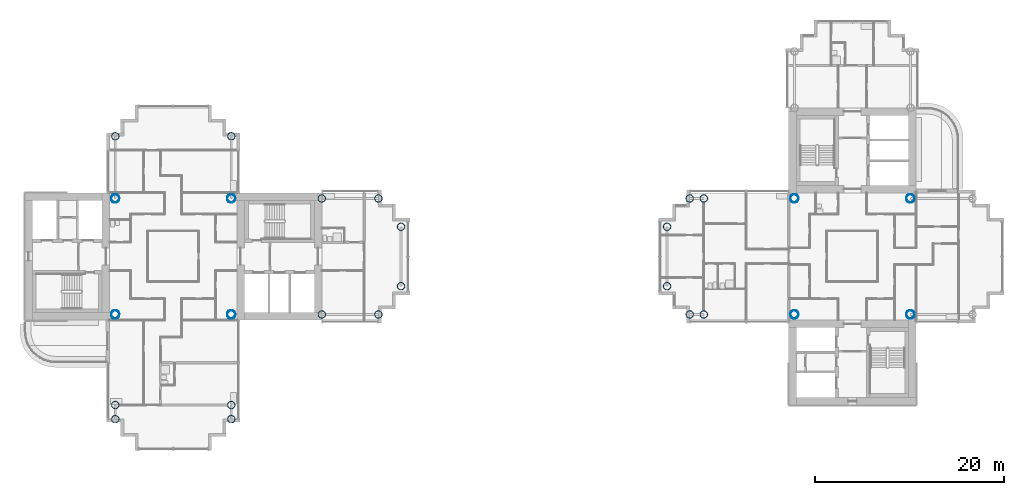
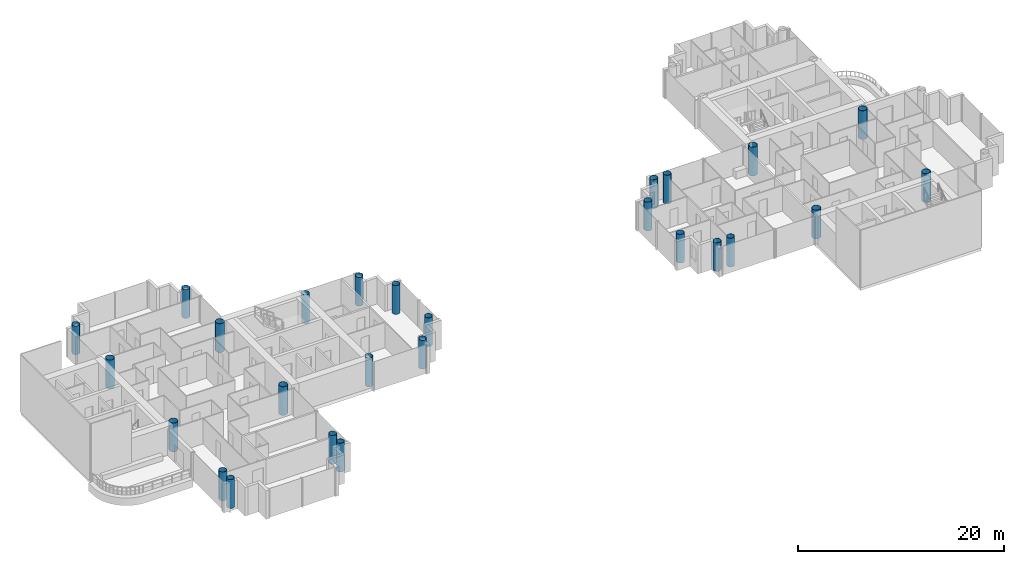
# One storey, part 1 of 20: 26 columns.
"""IFC4 building model written with IfcOpenShell, lengths in metres."""

import ifcopenshell
import ifcopenshell.guid

model = None  # the IFC model being written
_history = None  # IfcOwnerHistory: only IFC2X3 demands one
_inside = {}  # id of a spatial element -> (the spatial element, [elements in it])
_under = {}  # id of a project, library or spatial element -> (it, [spatial elements below it])
_declared = {}  # id of a project -> (the project, [libraries it declares])
_typed = {}  # id of a type object -> (the type object, [elements of that type])
_made_of = {}  # id of a material, layer set ... -> (it, [elements and type objects made of it])


def new_model(schema):
    """Start an empty IFC model of exactly this schema.

    Asked for "IFC4X3", IfcOpenShell would pick the latest addendum, in which some entities
    have other attributes; the version numbers below select the first issue.
    IFC2X3 requires an IfcOwnerHistory on every rooted entity: one is made here for all.
    """
    global model, _history
    if schema == "IFC4X3":
        model = ifcopenshell.file(schema_version=(4, 3, 0, 0))
    else:
        model = ifcopenshell.file(schema=schema)
    _inside.clear()
    _under.clear()
    _declared.clear()
    _typed.clear()
    _made_of.clear()
    _history = None
    if model.schema == "IFC2X3":
        org = make("IfcOrganization", Name="unknown")
        user = make(
            "IfcPersonAndOrganization",
            ThePerson=make("IfcPerson", FamilyName="unknown"),
            TheOrganization=org,
        )
        app = make(
            "IfcApplication",
            ApplicationDeveloper=org,
            Version="unknown",
            ApplicationFullName="unknown",
            ApplicationIdentifier="unknown",
        )
        _history = make(
            "IfcOwnerHistory",
            OwningUser=user,
            OwningApplication=app,
            ChangeAction="ADDED",
            CreationDate=0,
        )
    return model


def make(cls, **values):
    """One entity of the class cls with the attributes given. An attribute that is None is left unset."""
    return model.create_entity(
        cls, **{name: value for name, value in values.items() if value is not None}
    )


def rooted(cls, **values):
    """An entity with a GlobalId (a new one), such as an element, a storey or a relation."""
    return make(cls, GlobalId=ifcopenshell.guid.new(), OwnerHistory=_history, **values)


def si_unit(unit_type, name, prefix=None):
    """IfcSIUnit, for example si_unit("LENGTHUNIT", "METRE", prefix="MILLI")."""
    return make("IfcSIUnit", UnitType=unit_type, Prefix=prefix, Name=name)


def assignment(units):
    """IfcUnitAssignment: the units of a project."""
    return None if units is None else make("IfcUnitAssignment", Units=units)


def point(xyz):
    """IfcCartesianPoint."""
    return None if xyz is None else make("IfcCartesianPoint", Coordinates=xyz)


def direction(xyz):
    """IfcDirection."""
    return None if xyz is None else make("IfcDirection", DirectionRatios=xyz)


def frame(location, z_axis=None, x_axis=None):
    """IfcAxis2Placement3D, a coordinate frame: its origin and axes. An axis left out is left unset."""
    return make(
        "IfcAxis2Placement3D",
        Location=point(location),
        Axis=direction(z_axis),
        RefDirection=direction(x_axis),
    )


def frame_2d(location, x_axis=None):
    """IfcAxis2Placement2D, a coordinate frame in the plane: its origin and x axis."""
    return make(
        "IfcAxis2Placement2D", Location=point(location), RefDirection=direction(x_axis)
    )


def origin():
    """The frame at (0, 0, 0) with its axes left unset."""
    return frame((0.0, 0.0, 0.0))


def origin_2d():
    """The frame at (0, 0) in the plane with its x axis left unset."""
    return frame_2d((0.0, 0.0))


def place(relative_to, where):
    """IfcLocalPlacement: puts the frame where relative to a parent placement (None: the world)."""
    return make(
        "IfcLocalPlacement", PlacementRelTo=relative_to, RelativePlacement=where
    )


def context(
    kind, dimensions, precision=None, world=None, true_north=None, identifier=None
):
    """IfcGeometricRepresentationContext, for example the 3D "Model" context."""
    return make(
        "IfcGeometricRepresentationContext",
        ContextIdentifier=identifier,
        ContextType=kind,
        CoordinateSpaceDimension=dimensions,
        Precision=precision,
        WorldCoordinateSystem=world,
        TrueNorth=true_north,
    )


def subcontext(parent, identifier, kind, view, scale=None):
    """IfcGeometricRepresentationSubContext, for example "Body" below "Model"."""
    return make(
        "IfcGeometricRepresentationSubContext",
        ContextIdentifier=identifier,
        ContextType=kind,
        ParentContext=parent,
        TargetScale=scale,
        TargetView=view,
    )


def project(units=None, contexts=None):
    """IfcProject with its units and contexts."""
    return rooted(
        "IfcProject",
        Name="project",
        RepresentationContexts=contexts,
        UnitsInContext=assignment(units),
    )


def spatial(cls, under=None, at=None, **own):
    """A site, building, storey or space (cls), placed at a placement, below another one or the project."""
    s = rooted(cls, ObjectPlacement=at, **own)
    if under is not None:
        _under.setdefault(under.id(), (under, []))[1].append(s)
    return s


def profile(cls, at=None, kind="AREA", **sizes):
    """A parametric profile (cls). Its sizes go by their IFC names, for example OverallWidth=200.0."""
    return make(cls, ProfileType=kind, Position=at, **sizes)


def hollow_circle(**sizes):
    """IfcCircleHollowProfileDef."""
    return profile("IfcCircleHollowProfileDef", **sizes)


def extrude(swept, where, along, depth):
    """IfcExtrudedAreaSolid: the profile swept, set in the frame where, extruded along a direction by depth."""
    return make(
        "IfcExtrudedAreaSolid",
        SweptArea=swept,
        Position=where,
        ExtrudedDirection=direction(along),
        Depth=depth,
    )


def shape(context_of_items, identifier, shape_type, items):
    """IfcShapeRepresentation: the items that make up one representation, for example the "Body"."""
    return make(
        "IfcShapeRepresentation",
        ContextOfItems=context_of_items,
        RepresentationIdentifier=identifier,
        RepresentationType=shape_type,
        Items=items,
    )


def material(Name=None, Category=None):
    """IfcMaterial."""
    return make("IfcMaterial", Name=Name, Category=Category)


def material_profile(
    of_material, cross_section, Name=None, Category=None, Priority=None
):
    """IfcMaterialProfile: a cross section and its material."""
    return make(
        "IfcMaterialProfile",
        Name=Name,
        Material=of_material,
        Profile=cross_section,
        Priority=Priority,
        Category=Category,
    )


def profile_set(profiles, Name=None, composite=None):
    """IfcMaterialProfileSet."""
    return make(
        "IfcMaterialProfileSet",
        Name=Name,
        MaterialProfiles=profiles,
        CompositeProfile=composite,
    )


def made_of(thing, what):
    """Note that an element or type object is made of a material, layer set ...; save() writes the relation."""
    if what is not None:
        _made_of.setdefault(what.id(), (what, []))[1].append(thing)
    return thing


def type_object(cls, material=None, **own):
    """A type object (cls), such as IfcWallType, which elements share."""
    return made_of(rooted(cls, **own), material)


def element(
    cls,
    number,
    at=None,
    inside=None,
    cuts=None,
    type_object=None,
    material=None,
    context=None,
    identifier="Body",
    shape_type=None,
    held_by="IfcProductDefinitionShape",
    body=None,
    shapes=None,
    **own,
):
    """One element of the class cls, such as IfcWall. Its Tag is "e" and its number.

    at: its placement. inside: the storey or other place that contains it. cuts: it is an
    opening in that element (IfcRelVoidsElement). A single representation is given by context,
    identifier, shape_type and body (its items); several are given by shapes. held_by: the class
    of the entity that holds the representations. save() writes the other relations.
    """
    e = rooted(cls, Tag="e%d" % number, ObjectPlacement=at, **own)
    if body is not None:
        shapes = [shape(context, identifier, shape_type, body)]
    if shapes is not None:
        e.Representation = make(held_by, Representations=shapes)
    if inside is not None:
        _inside.setdefault(inside.id(), (inside, []))[1].append(e)
    if cuts is not None:
        rooted(
            "IfcRelVoidsElement", RelatingBuildingElement=cuts, RelatedOpeningElement=e
        )
    if type_object is not None:
        _typed.setdefault(type_object.id(), (type_object, []))[1].append(e)
    return made_of(e, material)


def aggregate(whole, parts):
    """IfcRelAggregates: a whole, such as a stair, and the parts it consists of."""
    return rooted("IfcRelAggregates", RelatingObject=whole, RelatedObjects=parts)


def save(model, path):
    """Write the relations noted so far, then the file.

    IfcRelAggregates (storeys below a building ...), IfcRelContainedInSpatialStructure (elements
    in a storey), IfcRelDefinesByType, IfcRelAssociatesMaterial and IfcRelDeclares: one each for
    every whole, place, type object, material and project.
    """
    for whole, parts in _under.values():
        aggregate(whole, parts)
    for where, things in _inside.values():
        rooted(
            "IfcRelContainedInSpatialStructure",
            RelatedElements=things,
            RelatingStructure=where,
        )
    for kind, things in _typed.values():
        rooted("IfcRelDefinesByType", RelatedObjects=things, RelatingType=kind)
    for what, things in _made_of.values():
        rooted("IfcRelAssociatesMaterial", RelatedObjects=things, RelatingMaterial=what)
    for by, libraries in _declared.values():
        rooted("IfcRelDeclares", RelatingContext=by, RelatedDefinitions=libraries)
    model.write(path)


model = new_model("IFC4")

# Units and contexts
model_context = context("Model", 3, precision=1e-05, world=origin(), true_north=direction((0.0, 1.0)))
body_context = subcontext(model_context, "Body", "Model", "MODEL_VIEW")
ifc_project = project(units=[si_unit("LENGTHUNIT", "METRE"), si_unit("AREAUNIT", "SQUARE_METRE"), si_unit("VOLUMEUNIT", "CUBIC_METRE"), si_unit("PLANEANGLEUNIT", "RADIAN"), si_unit("MASSUNIT", "GRAM", prefix="KILO")], contexts=[model_context])

# Site, building, storey
site_placement = place(None, origin())
site = spatial("IfcSite", under=ifc_project, at=site_placement, CompositionType="ELEMENT")
building_placement = place(site_placement, origin())
building = spatial("IfcBuilding", under=site, at=building_placement, Name="Ipe Terrace Towers", CompositionType="ELEMENT")
storey_placement = place(building_placement, frame((0.0, 0.0, 160.89990234375)))
storey = spatial("IfcBuildingStorey", under=building, at=storey_placement, Name="L44", CompositionType="ELEMENT", Elevation=160.89990234375)

# Columns
ifc_material_1 = material(Name="Steel S355 tube with Concrete C60/75 fill", Category="concrete")
ifc_material_profile_1 = material_profile(ifc_material_1, hollow_circle(Radius=0.39990234375, WallThickness=0.028076171875, at=origin_2d()), Name="CHS-800x28")
ifc_profile_set_1 = profile_set([ifc_material_profile_1], Name="Steel S355 tube with Concrete C60/75 fill")
column_type_1 = type_object("IfcColumnType", Name="CH09 COLUMN CHS-800x28", PredefinedType="COLUMN", material=ifc_profile_set_1)
for number, where, z_axis, x_axis, name in (
    (1, (-20.25, -6.14990234375, 0.0), (0.0, 0.0, 1.0), (1.0, 0.0, 0.0), "Column T1-C-A01"),
    (2, (-20.25, 6.14990234375, 0.0), (0.0, 0.0, 1.0), (1.0, 0.0, 0.0), "Column T1-C-A02"),
    (3, (-14.25, -6.14990234375, 0.0), (0.0, 0.0, 1.0), (1.0, 0.0, 0.0), "Column T1-C-A03"),
    (4, (-14.25, 6.14990234375, 0.0), (0.0, 0.0, 1.0), (1.0, 0.0, 0.0), "Column T1-C-A04"),
    (5, (-11.85009765625, -3.14990234375, 0.0), (0.0, 0.0, 1.0), (1.0, 0.0, 0.0), "Column T1-C-A05"),
    (6, (-11.85009765625, 3.14990234375, 0.0), (0.0, 0.0, 1.0), (1.0, 0.0, 0.0), "Column T1-C-A06"),
    (7, (-29.85009765625, 12.75, 0.0), (0.0, 0.0, 1.0), (1.0, 0.0, 0.0), "Column T1-C-B01"),
    (8, (-42.14990234375, 12.75, 0.0), (0.0, 0.0, 1.0), (1.0, 0.0, 0.0), "Column T1-C-B02"),
    (9, (-42.14990234375, -15.75, 0.0), (0.0, 0.0, 1.0), (1.0, 0.0, 0.0), "Column T1-C-D03"),
    (10, (-29.85009765625, -15.75, 0.0), (0.0, 0.0, 1.0), (1.0, 0.0, 0.0), "Column T1-C-D04"),
    (11, (-42.14990234375, -17.25, 0.0), (0.0, 0.0, 1.0), (1.0, 0.0, 0.0), "Column T1-C-D05"),
    (12, (-29.85009765625, -17.25, 0.0), (0.0, 0.0, 1.0), (1.0, 0.0, 0.0), "Column T1-C-D06"),
    (13, (20.25, 6.14990234375, 0.0), (0.0, 0.0, 1.0), (1.0, 0.0, 0.0), "Column T2-C-B03"),
    (14, (20.25, -6.14990234375, 0.0), (0.0, 0.0, 1.0), (1.0, 0.0, 0.0), "Column T2-C-B04"),
    (15, (18.75, 6.14990234375, 0.0), (0.0, 0.0, 1.0), (1.0, 0.0, 0.0), "Column T2-C-B05"),
    (16, (18.75, -6.14990234375, 0.0), (0.0, 0.0, 1.0), (1.0, 0.0, 0.0), "Column T2-C-B06"),
    (17, (16.35009765625, 3.14990234375, 0.0), (0.0, 0.0, 1.0), (1.0, 0.0, 0.0), "Column T2-C-B07"),
    (18, (16.35009765625, -3.14990234375, 0.0), (0.0, 0.0, 1.0), (1.0, 0.0, 0.0), "Column T2-C-B08"),
):
    element("IfcColumn", number, at=place(storey_placement, frame(where, z_axis=z_axis, x_axis=x_axis)), inside=storey, type_object=column_type_1, Name=name, PredefinedType="COLUMN", context=body_context, shape_type="SweptSolid", body=[
        extrude(hollow_circle(Radius=0.39990234375, WallThickness=0.028076171875, at=origin_2d()), origin(), (0.0, 0.0, 1.0), 3.400146484375),
    ])
ifc_material_2 = material(Name="Steel S355 tube with Concrete C60/75 fill", Category="concrete")
ifc_material_profile_2 = material_profile(ifc_material_2, hollow_circle(Radius=0.449951171875, WallThickness=0.031982421875, at=origin_2d()), Name="CHS-900x32")
ifc_profile_set_2 = profile_set([ifc_material_profile_2], Name="Steel S355 tube with Concrete C60/75 fill")
column_type_2 = type_object("IfcColumnType", Name="CH10 COLUMN CHS-900x32", PredefinedType="COLUMN", material=ifc_profile_set_2)
for number, where, z_axis, x_axis, name in (
    (19, (-42.14990234375, -6.14990234375, 0.0), (0.0, 0.0, 1.0), (1.0, 0.0, 0.0), "Column T1-C-E01"),
    (20, (-29.85009765625, -6.14990234375, 0.0), (0.0, 0.0, 1.0), (1.0, 0.0, 0.0), "Column T1-C-E02"),
    (21, (-29.85009765625, 6.14990234375, 0.0), (0.0, 0.0, 1.0), (1.0, 0.0, 0.0), "Column T1-C-E03"),
    (22, (-42.14990234375, 6.14990234375, 0.0), (0.0, 0.0, 1.0), (1.0, 0.0, 0.0), "Column T1-C-E04"),
    (23, (42.14990234375, -6.14990234375, 0.0), (0.0, 0.0, 1.0), (1.0, 0.0, 0.0), "Column T2-C-E01"),
    (24, (42.14990234375, 6.14990234375, 0.0), (0.0, 0.0, 1.0), (1.0, 0.0, 0.0), "Column T2-C-E02"),
    (25, (29.85009765625, 6.14990234375, 0.0), (0.0, 0.0, 1.0), (1.0, 0.0, 0.0), "Column T2-C-E03"),
    (26, (29.85009765625, -6.14990234375, 0.0), (0.0, 0.0, 1.0), (1.0, 0.0, 0.0), "Column T2-C-E04"),
):
    element("IfcColumn", number, at=place(storey_placement, frame(where, z_axis=z_axis, x_axis=x_axis)), inside=storey, type_object=column_type_2, Name=name, PredefinedType="COLUMN", context=body_context, shape_type="SweptSolid", body=[
        extrude(hollow_circle(Radius=0.449951171875, WallThickness=0.031982421875, at=origin_2d()), origin(), (0.0, 0.0, 1.0), 3.400146484375),
    ])

save(model, "model.ifc")
